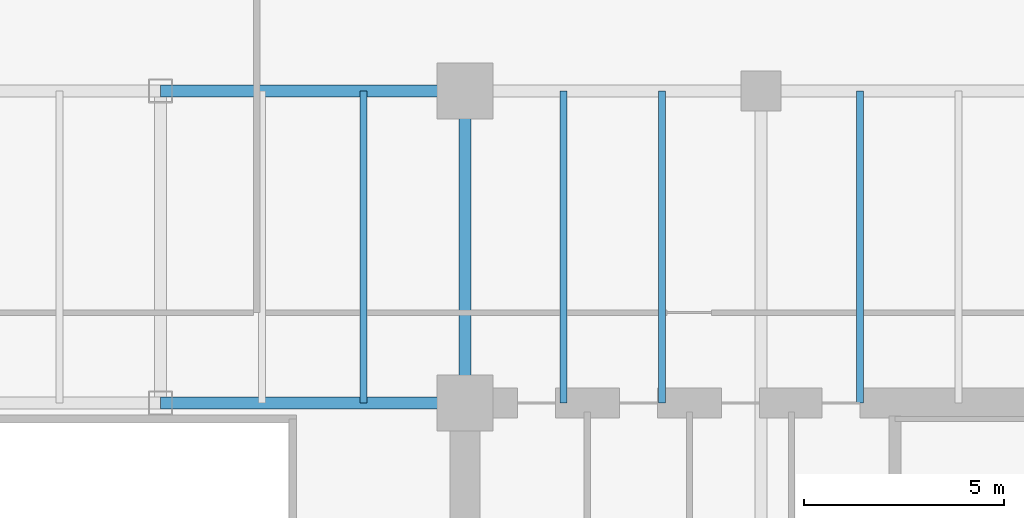
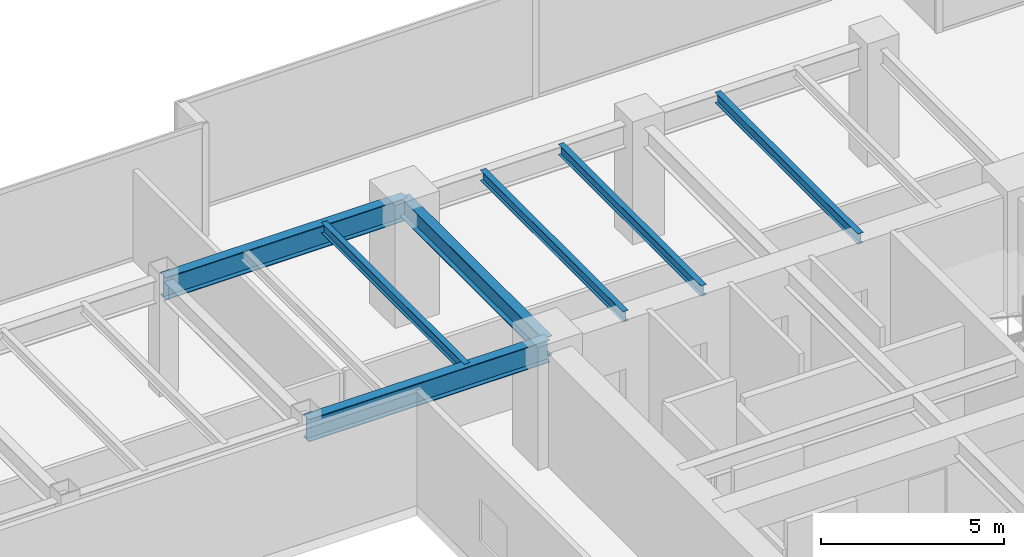
# One storey, part 19 of 35: 7 beams.
"""IFC4 building model written with IfcOpenShell, lengths in metres."""

from ifc_helpers import new_model, si_unit, direction, frame, origin, origin_2d, place, context, subcontext, project, spatial, i_section, extrude, source, transform, mapped, material, material_profile, profile_set, type_object, type_shapes, element, save


model = new_model("IFC4")

# Units and contexts
model_context = context("Model", 3, precision=1e-05, world=origin(), true_north=direction((0.0, 1.0)))
body_context = subcontext(model_context, "Body", "Model", "MODEL_VIEW")
ifc_project = project(units=[si_unit("LENGTHUNIT", "METRE"), si_unit("AREAUNIT", "SQUARE_METRE"), si_unit("VOLUMEUNIT", "CUBIC_METRE"), si_unit("PLANEANGLEUNIT", "RADIAN"), si_unit("MASSUNIT", "GRAM", prefix="KILO")], contexts=[model_context])

# Site, building, storey
site_placement = place(None, origin())
site = spatial("IfcSite", under=ifc_project, at=site_placement, CompositionType="ELEMENT")
building_placement = place(site_placement, origin())
building = spatial("IfcBuilding", under=site, at=building_placement, Name="Haelvirn Gate Laboratories", CompositionType="ELEMENT")
storey_placement = place(building_placement, frame((0.0, 0.0, 82.60009765625)))
storey = spatial("IfcBuildingStorey", under=building, at=storey_placement, Name="L20", CompositionType="ELEMENT", Elevation=82.60009765625)

# Beams
ifc_material = material(Name="Steel SM355", Category="steel")
ifc_material_profile_1 = material_profile(ifc_material, i_section(OverallWidth=0.300048828125, OverallDepth=0.75, WebThickness=0.013916015625, FlangeThickness=0.02392578125, at=origin_2d()), Name="H-750x300x14x24")
ifc_profile_set_1 = profile_set([ifc_material_profile_1], Name="Steel SM355")
beam_type_1 = type_object("IfcBeamType", Name="BM-G-750", PredefinedType="BEAM", material=ifc_profile_set_1)
shared_shape_1 = source(origin(), body_context, "Body", "SweptSolid", [
    extrude(i_section(OverallWidth=0.300048828125, OverallDepth=0.75, WebThickness=0.013916015625, FlangeThickness=0.02392578125, at=origin_2d()), origin(), (0.0, 0.0, 1.0), 7.60009765625),
])
type_shapes(beam_type_1, [shared_shape_1])
for number, where, z_axis, x_axis, name in (
    (1, (45.0, 33.800048828125, 3.40478515625), (1.0, 0.0, 0.0), (0.0, 1.0, 0.0), "L20 Primary Girder Y33.8 (45.0-52.6)"),
    (2, (45.0, 41.60009765625, 3.40478515625), (1.0, 0.0, 0.0), (0.0, 1.0, 0.0), "L20 Primary Girder Y41.6 (45.0-52.6)"),
):
    element("IfcBeam", number, at=place(storey_placement, frame(where, z_axis=z_axis, x_axis=x_axis)), inside=storey, type_object=beam_type_1, Name=name, PredefinedType="BEAM", context=body_context, shape_type="MappedRepresentation", body=[
        mapped(shared_shape_1, transform((0.0, 0.0, 0.0), scale=1.0)),
    ])
ifc_material_profile_2 = material_profile(ifc_material, i_section(OverallWidth=0.175048828125, OverallDepth=0.35009765625, WebThickness=0.007080078125, FlangeThickness=0.010986328125, at=origin_2d()), Name="H-350x175x7x11")
ifc_profile_set_2 = profile_set([ifc_material_profile_2], Name="Steel SM355")
beam_type_2 = type_object("IfcBeamType", Name="BM-J-350", PredefinedType="JOIST", material=ifc_profile_set_2)
shared_shape_2 = source(origin(), body_context, "Body", "SweptSolid", [
    extrude(i_section(OverallWidth=0.175048828125, OverallDepth=0.35009765625, WebThickness=0.007080078125, FlangeThickness=0.010986328125, at=origin_2d()), origin(), (0.0, 0.0, 1.0), 7.800048828125),
])
type_shapes(beam_type_2, [shared_shape_2])
for number, where, z_axis, x_axis, name in (
    (3, (50.070068359375, 33.800048828125, 3.60498046875), (0.0, 1.0, 0.0), (-1.0, 0.0, 0.0), "L20 Composite Lab Joist North X50.07"),
    (4, (55.070068359375, 33.800048828125, 3.60498046875), (0.0, 1.0, 0.0), (-1.0, 0.0, 0.0), "L20 Composite Lab Joist North X55.07"),
    (5, (57.530029296875, 33.800048828125, 3.60498046875), (0.0, 1.0, 0.0), (-1.0, 0.0, 0.0), "L20 Composite Lab Joist North X57.53"),
    (6, (62.469970703125, 33.800048828125, 3.60498046875), (0.0, 1.0, 0.0), (-1.0, 0.0, 0.0), "L20 Composite Lab Joist North X62.47"),
):
    element("IfcBeam", number, at=place(storey_placement, frame(where, z_axis=z_axis, x_axis=x_axis)), inside=storey, type_object=beam_type_2, Name=name, PredefinedType="JOIST", context=body_context, shape_type="MappedRepresentation", body=[
        mapped(shared_shape_2, transform((0.0, 0.0, 0.0), scale=1.0)),
    ])
ifc_material_profile_3 = material_profile(ifc_material, i_section(OverallWidth=0.300048828125, OverallDepth=0.64990234375, WebThickness=0.012939453125, FlangeThickness=0.02197265625, at=origin_2d()), Name="H-650x300x13x22")
ifc_profile_set_3 = profile_set([ifc_material_profile_3], Name="Steel SM355")
beam_type_3 = type_object("IfcBeamType", Name="BM-G-650", PredefinedType="BEAM", material=ifc_profile_set_3)
shared_shape_3 = source(origin(), body_context, "Body", "SweptSolid", [
    extrude(i_section(OverallWidth=0.300048828125, OverallDepth=0.64990234375, WebThickness=0.012939453125, FlangeThickness=0.02197265625, at=origin_2d()), origin(), (0.0, 0.0, 1.0), 7.800048828125),
])
type_shapes(beam_type_3, [shared_shape_3])
beam_placement = place(storey_placement, frame((52.60009765625, 33.800048828125, 3.454833984375), z_axis=(0.0, 1.0, 0.0), x_axis=(-1.0, 0.0, 0.0)))
element("IfcBeam", 7, at=beam_placement, inside=storey, type_object=beam_type_3, Name="L20 Frame Girder X52.6 (33.8-41.6)", PredefinedType="BEAM", context=body_context, shape_type="MappedRepresentation", body=[
    mapped(shared_shape_3, transform((0.0, 0.0, 0.0), scale=1.0)),
])

save(model, "model.ifc")
